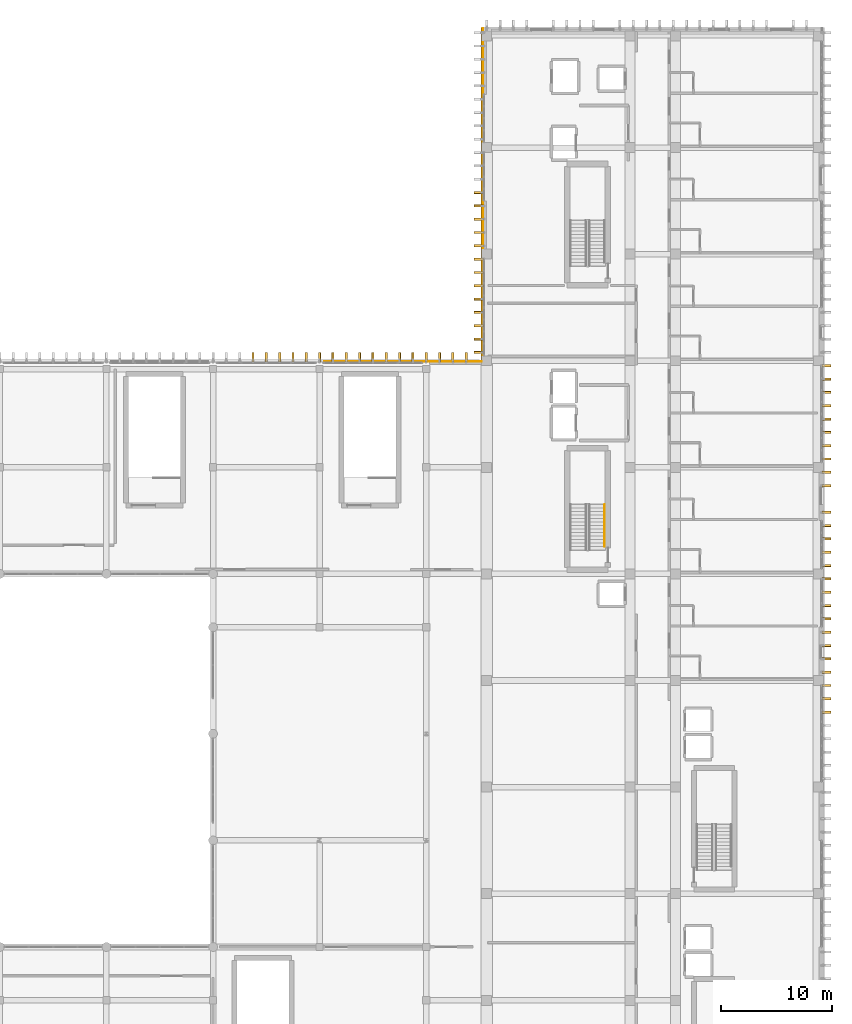
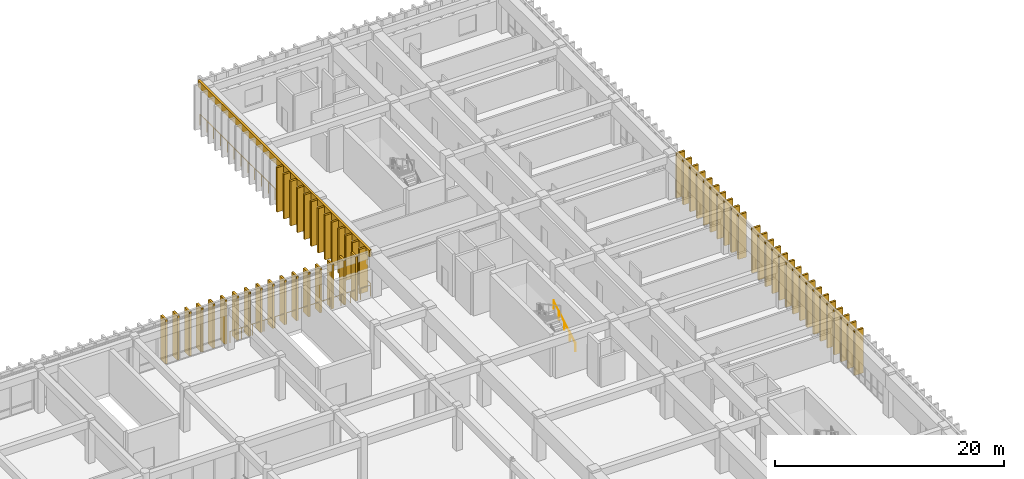
# One storey, part 99 of 101: 57 coverings, 56 shading devices, 4 railings.
"""IFC4 building model written with IfcOpenShell, lengths in metres."""

from ifc_helpers import new_model, si_unit, direction, frame, origin, origin_2d, place, context, subcontext, project, spatial, rectangle, circle, extrude, material, layer, layer_set, type_object, element, save


model = new_model("IFC4")

# Units and contexts
model_context = context("Model", 3, precision=1e-05, world=origin(), true_north=direction((0.0, 1.0)))
body_context = subcontext(model_context, "Body", "Model", "MODEL_VIEW")
ifc_project = project(units=[si_unit("LENGTHUNIT", "METRE"), si_unit("AREAUNIT", "SQUARE_METRE"), si_unit("VOLUMEUNIT", "CUBIC_METRE"), si_unit("PLANEANGLEUNIT", "RADIAN"), si_unit("MASSUNIT", "GRAM", prefix="KILO")], contexts=[model_context])

# Site, building, storey
site_placement = place(None, origin())
site = spatial("IfcSite", under=ifc_project, at=site_placement, CompositionType="ELEMENT")
building_placement = place(site_placement, origin())
building = spatial("IfcBuilding", under=site, at=building_placement, Name="Nakhvara Creek Congress Hotel", CompositionType="ELEMENT")
storey_placement = place(building_placement, frame((0.0, 0.0, 16.199951171875)))
storey = spatial("IfcBuildingStorey", under=building, at=storey_placement, Name="L03", CompositionType="ELEMENT", Elevation=16.199951171875)

# Coverings
ifc_material_1 = material(Name="Honed pale Omani limestone architectural cladding", Category="masonry")
ifc_layer_1 = layer(ifc_material_1, 0.219970703125)
ifc_layer_set_1 = layer_set([ifc_layer_1], Name="Honed pale Omani limestone architectural cladding")
covering_type_1 = type_object("IfcCoveringType", Name="COV-FIN-850", PredefinedType="CLADDING", material=ifc_layer_set_1)
for number, where, z_axis, x_axis, name in (
    (1, (128.39990234375, 96.304931640625, 0.0), (0.0, 0.0, 1.0), (1.0, 0.0, 0.0), "Pale Limestone Fin Cladding CF01-0381"),
    (2, (129.60009765625, 96.304931640625, 0.0), (0.0, 0.0, 1.0), (1.0, 0.0, 0.0), "Pale Limestone Fin Cladding CF01-0382"),
    (3, (130.800048828125, 96.304931640625, 0.0), (0.0, 0.0, 1.0), (1.0, 0.0, 0.0), "Pale Limestone Fin Cladding CF01-0383"),
    (4, (132.0, 96.304931640625, 0.0), (0.0, 0.0, 1.0), (1.0, 0.0, 0.0), "Pale Limestone Fin Cladding CF01-0384"),
    (5, (133.199951171875, 96.304931640625, 0.0), (0.0, 0.0, 1.0), (1.0, 0.0, 0.0), "Pale Limestone Fin Cladding CF01-0385"),
    (6, (134.39990234375, 96.304931640625, 0.0), (0.0, 0.0, 1.0), (1.0, 0.0, 0.0), "Pale Limestone Fin Cladding CF01-0386"),
    (7, (135.60009765625, 96.304931640625, 0.0), (0.0, 0.0, 1.0), (1.0, 0.0, 0.0), "Pale Limestone Fin Cladding CF01-0387"),
    (8, (136.800048828125, 96.304931640625, 0.0), (0.0, 0.0, 1.0), (1.0, 0.0, 0.0), "Pale Limestone Fin Cladding CF01-0388"),
    (9, (138.0, 96.304931640625, 0.0), (0.0, 0.0, 1.0), (1.0, 0.0, 0.0), "Pale Limestone Fin Cladding CF01-0389"),
    (10, (139.199951171875, 96.304931640625, 0.0), (0.0, 0.0, 1.0), (1.0, 0.0, 0.0), "Pale Limestone Fin Cladding CF01-0390"),
    (11, (140.39990234375, 96.304931640625, 0.0), (0.0, 0.0, 1.0), (1.0, 0.0, 0.0), "Pale Limestone Fin Cladding CF01-0391"),
    (12, (141.60009765625, 96.304931640625, 0.0), (0.0, 0.0, 1.0), (1.0, 0.0, 0.0), "Pale Limestone Fin Cladding CF01-0392"),
    (13, (142.800048828125, 96.304931640625, 0.0), (0.0, 0.0, 1.0), (1.0, 0.0, 0.0), "Pale Limestone Fin Cladding CF01-0393"),
    (14, (144.0, 96.304931640625, 0.0), (0.0, 0.0, 1.0), (1.0, 0.0, 0.0), "Pale Limestone Fin Cladding CF01-0394"),
    (15, (145.199951171875, 96.304931640625, 0.0), (0.0, 0.0, 1.0), (1.0, 0.0, 0.0), "Pale Limestone Fin Cladding CF01-0395"),
    (16, (146.39990234375, 96.304931640625, 0.0), (0.0, 0.0, 1.0), (1.0, 0.0, 0.0), "Pale Limestone Fin Cladding CF01-0396"),
    (17, (147.60009765625, 96.304931640625, 0.0), (0.0, 0.0, 1.0), (1.0, 0.0, 0.0), "Pale Limestone Fin Cladding CF01-0397"),
):
    element("IfcCovering", number, at=place(storey_placement, frame(where, z_axis=z_axis, x_axis=x_axis)), inside=storey, type_object=covering_type_1, Name=name, PredefinedType="CLADDING", context=body_context, shape_type="SweptSolid", body=[
        extrude(rectangle(XDim=0.219970703125, YDim=0.85009765625, at=origin_2d()), origin(), (0.0, 0.0, 1.0), 4.719970703125),
    ])
for number, where, z_axis, x_axis, name in (
    (18, (180.054931640625, 64.35009765625, 0.0), (0.0, 0.0, 1.0), (0.0, 1.0, 0.0), "Pale Limestone Fin Cladding CF01-1080"),
    (19, (180.054931640625, 65.550048828125, 0.0), (0.0, 0.0, 1.0), (0.0, 1.0, 0.0), "Pale Limestone Fin Cladding CF01-1081"),
    (20, (180.054931640625, 66.75, 0.0), (0.0, 0.0, 1.0), (0.0, 1.0, 0.0), "Pale Limestone Fin Cladding CF01-1082"),
    (21, (180.054931640625, 67.949951171875, 0.0), (0.0, 0.0, 1.0), (0.0, 1.0, 0.0), "Pale Limestone Fin Cladding CF01-1083"),
    (22, (180.054931640625, 69.14990234375, 0.0), (0.0, 0.0, 1.0), (0.0, 1.0, 0.0), "Pale Limestone Fin Cladding CF01-1084"),
    (23, (180.054931640625, 70.35009765625, 0.0), (0.0, 0.0, 1.0), (0.0, 1.0, 0.0), "Pale Limestone Fin Cladding CF01-1085"),
    (24, (180.054931640625, 71.550048828125, 0.0), (0.0, 0.0, 1.0), (0.0, 1.0, 0.0), "Pale Limestone Fin Cladding CF01-1086"),
    (25, (180.054931640625, 72.75, 0.0), (0.0, 0.0, 1.0), (0.0, 1.0, 0.0), "Pale Limestone Fin Cladding CF01-1087"),
    (26, (180.054931640625, 73.949951171875, 0.0), (0.0, 0.0, 1.0), (0.0, 1.0, 0.0), "Pale Limestone Fin Cladding CF01-1088"),
    (27, (180.054931640625, 75.14990234375, 0.0), (0.0, 0.0, 1.0), (0.0, 1.0, 0.0), "Pale Limestone Fin Cladding CF01-1089"),
    (28, (180.054931640625, 76.35009765625, 0.0), (0.0, 0.0, 1.0), (0.0, 1.0, 0.0), "Pale Limestone Fin Cladding CF01-1090"),
    (29, (180.054931640625, 77.550048828125, 0.0), (0.0, 0.0, 1.0), (0.0, 1.0, 0.0), "Pale Limestone Fin Cladding CF01-1091"),
    (30, (180.054931640625, 78.75, 0.0), (0.0, 0.0, 1.0), (0.0, 1.0, 0.0), "Pale Limestone Fin Cladding CF01-1092"),
    (31, (180.054931640625, 79.949951171875, 0.0), (0.0, 0.0, 1.0), (0.0, 1.0, 0.0), "Pale Limestone Fin Cladding CF01-1093"),
    (32, (180.054931640625, 81.14990234375, 0.0), (0.0, 0.0, 1.0), (0.0, 1.0, 0.0), "Pale Limestone Fin Cladding CF01-1094"),
    (33, (180.054931640625, 82.35009765625, 0.0), (0.0, 0.0, 1.0), (0.0, 1.0, 0.0), "Pale Limestone Fin Cladding CF01-1095"),
    (34, (180.054931640625, 84.75, 0.0), (0.0, 0.0, 1.0), (0.0, 1.0, 0.0), "Pale Limestone Fin Cladding CF01-1096"),
    (35, (180.054931640625, 85.949951171875, 0.0), (0.0, 0.0, 1.0), (0.0, 1.0, 0.0), "Pale Limestone Fin Cladding CF01-1097"),
    (36, (180.054931640625, 87.14990234375, 0.0), (0.0, 0.0, 1.0), (0.0, 1.0, 0.0), "Pale Limestone Fin Cladding CF01-1098"),
    (37, (180.054931640625, 88.35009765625, 0.0), (0.0, 0.0, 1.0), (0.0, 1.0, 0.0), "Pale Limestone Fin Cladding CF01-1099"),
    (38, (180.054931640625, 89.550048828125, 0.0), (0.0, 0.0, 1.0), (0.0, 1.0, 0.0), "Pale Limestone Fin Cladding CF01-1100"),
    (39, (180.054931640625, 90.75, 0.0), (0.0, 0.0, 1.0), (0.0, 1.0, 0.0), "Pale Limestone Fin Cladding CF01-1101"),
    (40, (180.054931640625, 91.949951171875, 0.0), (0.0, 0.0, 1.0), (0.0, 1.0, 0.0), "Pale Limestone Fin Cladding CF01-1102"),
    (41, (180.054931640625, 93.14990234375, 0.0), (0.0, 0.0, 1.0), (0.0, 1.0, 0.0), "Pale Limestone Fin Cladding CF01-1103"),
    (42, (180.054931640625, 94.35009765625, 0.0), (0.0, 0.0, 1.0), (0.0, 1.0, 0.0), "Pale Limestone Fin Cladding CF01-1104"),
    (43, (180.054931640625, 95.550048828125, 0.0), (0.0, 0.0, 1.0), (0.0, 1.0, 0.0), "Pale Limestone Fin Cladding CF01-1105"),
    (44, (148.7451171875, 96.75, 0.0), (0.0, 0.0, 1.0), (0.0, 1.0, 0.0), "Pale Limestone Fin Cladding CF01-1107"),
    (45, (148.7451171875, 97.949951171875, 0.0), (0.0, 0.0, 1.0), (0.0, 1.0, 0.0), "Pale Limestone Fin Cladding CF01-1109"),
    (46, (148.7451171875, 99.14990234375, 0.0), (0.0, 0.0, 1.0), (0.0, 1.0, 0.0), "Pale Limestone Fin Cladding CF01-1111"),
    (47, (148.7451171875, 100.35009765625, 0.0), (0.0, 0.0, 1.0), (0.0, 1.0, 0.0), "Pale Limestone Fin Cladding CF01-1113"),
    (48, (148.7451171875, 101.550048828125, 0.0), (0.0, 0.0, 1.0), (0.0, 1.0, 0.0), "Pale Limestone Fin Cladding CF01-1115"),
    (49, (148.7451171875, 102.75, 0.0), (0.0, 0.0, 1.0), (0.0, 1.0, 0.0), "Pale Limestone Fin Cladding CF01-1117"),
    (50, (148.7451171875, 103.949951171875, 0.0), (0.0, 0.0, 1.0), (0.0, 1.0, 0.0), "Pale Limestone Fin Cladding CF01-1119"),
    (51, (148.7451171875, 105.14990234375, 0.0), (0.0, 0.0, 1.0), (0.0, 1.0, 0.0), "Pale Limestone Fin Cladding CF01-1121"),
    (52, (148.7451171875, 106.35009765625, 0.0), (0.0, 0.0, 1.0), (0.0, 1.0, 0.0), "Pale Limestone Fin Cladding CF01-1123"),
    (53, (148.7451171875, 107.550048828125, 0.0), (0.0, 0.0, 1.0), (0.0, 1.0, 0.0), "Pale Limestone Fin Cladding CF01-1125"),
    (54, (148.7451171875, 108.75, 0.0), (0.0, 0.0, 1.0), (0.0, 1.0, 0.0), "Pale Limestone Fin Cladding CF01-1127"),
    (55, (148.7451171875, 109.949951171875, 0.0), (0.0, 0.0, 1.0), (0.0, 1.0, 0.0), "Pale Limestone Fin Cladding CF01-1129"),
    (56, (148.7451171875, 111.14990234375, 0.0), (0.0, 0.0, 1.0), (0.0, 1.0, 0.0), "Pale Limestone Fin Cladding CF01-1131"),
):
    element("IfcCovering", number, at=place(storey_placement, frame(where, z_axis=z_axis, x_axis=x_axis)), inside=storey, type_object=covering_type_1, Name=name, PredefinedType="CLADDING", context=body_context, shape_type="SweptSolid", body=[
        extrude(rectangle(XDim=0.219970703125, YDim=0.85009765625, at=origin_2d()), origin(), (0.0, 0.0, 1.0), 4.760009765625),
    ])
ifc_layer_2 = layer(ifc_material_1, 0.179931640625)
ifc_layer_set_2 = layer_set([ifc_layer_2], Name="Honed pale Omani limestone architectural cladding")
covering_type_2 = type_object("IfcCoveringType", Name="COV-SPN-180", PredefinedType="CLADDING", material=ifc_layer_set_2)
covering_placement = place(storey_placement, frame((149.06005859375, 111.0, 4.110107421875), z_axis=(0.0, 0.0, 1.0), x_axis=(0.0, 1.0, 0.0)))
element("IfcCovering", 57, at=covering_placement, inside=storey, type_object=covering_type_2, Name="Pale Limestone Spandrel Band CF02-0054", PredefinedType="CLADDING", context=body_context, shape_type="SweptSolid", body=[
    extrude(rectangle(XDim=30.0, YDim=0.219970703125, at=origin_2d()), origin(), (0.0, 0.0, 1.0), 0.72998046875),
])

# Railings
ifc_material_2 = material(Name="Brushed stainless steel 316L", Category="steel")
railing_type_1 = type_object("IfcRailingType", Name="RL-GUARD-1200", PredefinedType="GUARDRAIL", material=ifc_material_2)
railing_1_placement = place(storey_placement, frame((134.85009765625, 95.919921875, 0.0)))
element("IfcRailing", 58, at=railing_1_placement, inside=storey, type_object=railing_type_1, Name="North Conference Edge Guard L03-134", PredefinedType="GUARDRAIL", context=body_context, shape_type="SweptSolid", body=[
    extrude(circle(Radius=0.02392578125, at=origin_2d()), frame((0.0146484375, 0.0, 1.17578125), z_axis=(1.0, 0.0, 0.0), x_axis=(0.0, 1.0, 0.0)), (0.0, 0.0, 1.0), 9.060546875),
    extrude(circle(Radius=0.02099609375, at=origin_2d()), origin(), (0.0, 0.0, 1.0), 1.1806640625),
    extrude(circle(Radius=0.02099609375, at=origin_2d()), frame((1.13623046875, 0.0, 0.0)), (0.0, 0.0, 1.0), 1.1806640625),
    extrude(circle(Radius=0.02099609375, at=origin_2d()), frame((2.2724609375, 0.0, 0.0)), (0.0, 0.0, 1.0), 1.1806640625),
    extrude(circle(Radius=0.02099609375, at=origin_2d()), frame((3.40869140625, 0.0, 0.0)), (0.0, 0.0, 1.0), 1.1806640625),
    extrude(circle(Radius=0.02099609375, at=origin_2d()), frame((4.544921875, 0.0, 0.0)), (0.0, 0.0, 1.0), 1.1806640625),
    extrude(circle(Radius=0.02099609375, at=origin_2d()), frame((5.68115234375, 0.0, 0.0)), (0.0, 0.0, 1.0), 1.1806640625),
    extrude(circle(Radius=0.02099609375, at=origin_2d()), frame((6.8173828125, 0.0, 0.0)), (0.0, 0.0, 1.0), 1.1806640625),
    extrude(circle(Radius=0.02099609375, at=origin_2d()), frame((7.95361328125, 0.0, 0.0)), (0.0, 0.0, 1.0), 1.1806640625),
    extrude(circle(Radius=0.02099609375, at=origin_2d()), frame((9.08984375, 0.0, 0.0)), (0.0, 0.0, 1.0), 1.1806640625),
])
railing_2_placement = place(storey_placement, frame((144.06005859375, 95.919921875, 0.0)))
element("IfcRailing", 59, at=railing_2_placement, inside=storey, type_object=railing_type_1, Name="North Conference Edge Guard L03-144", PredefinedType="GUARDRAIL", context=body_context, shape_type="SweptSolid", body=[
    extrude(circle(Radius=0.02392578125, at=origin_2d()), frame((0.0146484375, 0.0, 1.17578125), z_axis=(1.0, 0.0, 0.0), x_axis=(0.0, 1.0, 0.0)), (0.0, 0.0, 1.0), 4.900634765625),
    extrude(circle(Radius=0.02099609375, at=origin_2d()), origin(), (0.0, 0.0, 1.0), 1.1806640625),
    extrude(circle(Radius=0.02099609375, at=origin_2d()), frame((0.986083984375, 0.0, 0.0)), (0.0, 0.0, 1.0), 1.1806640625),
    extrude(circle(Radius=0.02099609375, at=origin_2d()), frame((1.971923828125, 0.0, 0.0)), (0.0, 0.0, 1.0), 1.1806640625),
    extrude(circle(Radius=0.02099609375, at=origin_2d()), frame((2.9580078125, 0.0, 0.0)), (0.0, 0.0, 1.0), 1.1806640625),
    extrude(circle(Radius=0.02099609375, at=origin_2d()), frame((3.94384765625, 0.0, 0.0)), (0.0, 0.0, 1.0), 1.1806640625),
    extrude(circle(Radius=0.02099609375, at=origin_2d()), frame((4.929931640625, 0.0, 0.0)), (0.0, 0.0, 1.0), 1.1806640625),
])
railing_3_placement = place(storey_placement, frame((149.1298828125, 96.080078125, 0.0)))
element("IfcRailing", 60, at=railing_3_placement, inside=storey, type_object=railing_type_1, Name="Perimeter Safety Rail West North L03", PredefinedType="GUARDRAIL", context=body_context, shape_type="SweptSolid", body=[
    extrude(circle(Radius=0.02392578125, at=origin_2d()), frame((0.0, 0.0146484375, 1.17578125), z_axis=(0.0, 1.0, 0.0), x_axis=(-1.0, 0.0, 0.0)), (0.0, 0.0, 1.0), 29.810546875),
    extrude(circle(Radius=0.02099609375, at=origin_2d()), origin(), (0.0, 0.0, 1.0), 1.1806640625),
    extrude(circle(Radius=0.02099609375, at=origin_2d()), frame((0.0, 1.193603515625, 0.0)), (0.0, 0.0, 1.0), 1.1806640625),
    extrude(circle(Radius=0.02099609375, at=origin_2d()), frame((0.0, 2.38720703125, 0.0)), (0.0, 0.0, 1.0), 1.1806640625),
    extrude(circle(Radius=0.02099609375, at=origin_2d()), frame((0.0, 3.580810546875, 0.0)), (0.0, 0.0, 1.0), 1.1806640625),
    extrude(circle(Radius=0.02099609375, at=origin_2d()), frame((0.0, 4.7744140625, 0.0)), (0.0, 0.0, 1.0), 1.1806640625),
    extrude(circle(Radius=0.02099609375, at=origin_2d()), frame((0.0, 5.968017578125, 0.0)), (0.0, 0.0, 1.0), 1.1806640625),
    extrude(circle(Radius=0.02099609375, at=origin_2d()), frame((0.0, 7.16162109375, 0.0)), (0.0, 0.0, 1.0), 1.1806640625),
    extrude(circle(Radius=0.02099609375, at=origin_2d()), frame((0.0, 8.355224609375, 0.0)), (0.0, 0.0, 1.0), 1.1806640625),
    extrude(circle(Radius=0.02099609375, at=origin_2d()), frame((0.0, 9.548828125, 0.0)), (0.0, 0.0, 1.0), 1.1806640625),
    extrude(circle(Radius=0.02099609375, at=origin_2d()), frame((0.0, 10.742431640625, 0.0)), (0.0, 0.0, 1.0), 1.1806640625),
    extrude(circle(Radius=0.02099609375, at=origin_2d()), frame((0.0, 11.93603515625, 0.0)), (0.0, 0.0, 1.0), 1.1806640625),
    extrude(circle(Radius=0.02099609375, at=origin_2d()), frame((0.0, 13.129638671875, 0.0)), (0.0, 0.0, 1.0), 1.1806640625),
    extrude(circle(Radius=0.02099609375, at=origin_2d()), frame((0.0, 14.3232421875, 0.0)), (0.0, 0.0, 1.0), 1.1806640625),
    extrude(circle(Radius=0.02099609375, at=origin_2d()), frame((0.0, 15.5166015625, 0.0)), (0.0, 0.0, 1.0), 1.1806640625),
    extrude(circle(Radius=0.02099609375, at=origin_2d()), frame((0.0, 16.710205078125, 0.0)), (0.0, 0.0, 1.0), 1.1806640625),
    extrude(circle(Radius=0.02099609375, at=origin_2d()), frame((0.0, 17.90380859375, 0.0)), (0.0, 0.0, 1.0), 1.1806640625),
    extrude(circle(Radius=0.02099609375, at=origin_2d()), frame((0.0, 19.097412109375, 0.0)), (0.0, 0.0, 1.0), 1.1806640625),
    extrude(circle(Radius=0.02099609375, at=origin_2d()), frame((0.0, 20.291015625, 0.0)), (0.0, 0.0, 1.0), 1.1806640625),
    extrude(circle(Radius=0.02099609375, at=origin_2d()), frame((0.0, 21.484619140625, 0.0)), (0.0, 0.0, 1.0), 1.1806640625),
    extrude(circle(Radius=0.02099609375, at=origin_2d()), frame((0.0, 22.67822265625, 0.0)), (0.0, 0.0, 1.0), 1.1806640625),
    extrude(circle(Radius=0.02099609375, at=origin_2d()), frame((0.0, 23.871826171875, 0.0)), (0.0, 0.0, 1.0), 1.1806640625),
    extrude(circle(Radius=0.02099609375, at=origin_2d()), frame((0.0, 25.0654296875, 0.0)), (0.0, 0.0, 1.0), 1.1806640625),
    extrude(circle(Radius=0.02099609375, at=origin_2d()), frame((0.0, 26.259033203125, 0.0)), (0.0, 0.0, 1.0), 1.1806640625),
    extrude(circle(Radius=0.02099609375, at=origin_2d()), frame((0.0, 27.45263671875, 0.0)), (0.0, 0.0, 1.0), 1.1806640625),
    extrude(circle(Radius=0.02099609375, at=origin_2d()), frame((0.0, 28.646240234375, 0.0)), (0.0, 0.0, 1.0), 1.1806640625),
    extrude(circle(Radius=0.02099609375, at=origin_2d()), frame((0.0, 29.83984375, 0.0)), (0.0, 0.0, 1.0), 1.1806640625),
])
railing_type_2 = type_object("IfcRailingType", Name="RL-HAND-900", PredefinedType="HANDRAIL", material=ifc_material_2)
railing_4_placement = place(storey_placement, frame((160.074951171875, 79.2548828125, 0.343017578125)))
element("IfcRailing", 61, at=railing_4_placement, inside=storey, type_object=railing_type_2, Name="L03 ST01 stair handrail 1", PredefinedType="HANDRAIL", context=body_context, shape_type="SweptSolid", body=[
    extrude(circle(Radius=0.02392578125, at=origin_2d()), frame((0.0, 0.0126953125, 0.88330078125), z_axis=(0.0, 0.860342978037, 0.509715567883), x_axis=(-1.0, 0.0, 0.0)), (0.0, 0.0, 1.0), 4.3642578125),
    extrude(circle(Radius=0.02099609375, at=origin_2d()), origin(), (0.0, 0.0, 1.0), 0.880615234375),
    extrude(circle(Radius=0.02099609375, at=origin_2d()), frame((0.0, 0.945068359375, 0.559814453125)), (0.0, 0.0, 1.0), 0.880615234375),
    extrude(circle(Radius=0.02099609375, at=origin_2d()), frame((0.0, 1.89013671875, 1.11962890625)), (0.0, 0.0, 1.0), 0.880615234375),
    extrude(circle(Radius=0.02099609375, at=origin_2d()), frame((0.0, 2.8349609375, 1.6796875)), (0.0, 0.0, 1.0), 0.880615234375),
    extrude(circle(Radius=0.02099609375, at=origin_2d()), frame((0.0, 3.780029296875, 2.239501953125)), (0.0, 0.0, 1.0), 0.880615234375),
])

# Shading devices
ifc_material_3 = material(Name="Honed pale Omani limestone cladding on stainless steel spine", Category="masonry")
shading_device_type = type_object("IfcShadingDeviceType", Name="SHD-FIN-850X4700", PredefinedType="USERDEFINED", material=ifc_material_3)
for number, where, z_axis, x_axis, name in (
    (62, (128.39990234375, 96.304931640625, 0.0), (0.0, 0.0, 1.0), (1.0, 0.0, 0.0), "Limestone Solar Fin FN02-0381"),
    (63, (129.60009765625, 96.304931640625, 0.0), (0.0, 0.0, 1.0), (1.0, 0.0, 0.0), "Limestone Solar Fin FN02-0382"),
    (64, (130.800048828125, 96.304931640625, 0.0), (0.0, 0.0, 1.0), (1.0, 0.0, 0.0), "Limestone Solar Fin FN02-0383"),
    (65, (132.0, 96.304931640625, 0.0), (0.0, 0.0, 1.0), (1.0, 0.0, 0.0), "Limestone Solar Fin FN02-0384"),
    (66, (133.199951171875, 96.304931640625, 0.0), (0.0, 0.0, 1.0), (1.0, 0.0, 0.0), "Limestone Solar Fin FN02-0385"),
    (67, (134.39990234375, 96.304931640625, 0.0), (0.0, 0.0, 1.0), (1.0, 0.0, 0.0), "Limestone Solar Fin FN02-0386"),
    (68, (135.60009765625, 96.304931640625, 0.0), (0.0, 0.0, 1.0), (1.0, 0.0, 0.0), "Limestone Solar Fin FN02-0387"),
    (69, (136.800048828125, 96.304931640625, 0.0), (0.0, 0.0, 1.0), (1.0, 0.0, 0.0), "Limestone Solar Fin FN02-0388"),
    (70, (138.0, 96.304931640625, 0.0), (0.0, 0.0, 1.0), (1.0, 0.0, 0.0), "Limestone Solar Fin FN02-0389"),
    (71, (139.199951171875, 96.304931640625, 0.0), (0.0, 0.0, 1.0), (1.0, 0.0, 0.0), "Limestone Solar Fin FN02-0390"),
    (72, (140.39990234375, 96.304931640625, 0.0), (0.0, 0.0, 1.0), (1.0, 0.0, 0.0), "Limestone Solar Fin FN02-0391"),
    (73, (141.60009765625, 96.304931640625, 0.0), (0.0, 0.0, 1.0), (1.0, 0.0, 0.0), "Limestone Solar Fin FN02-0392"),
    (74, (142.800048828125, 96.304931640625, 0.0), (0.0, 0.0, 1.0), (1.0, 0.0, 0.0), "Limestone Solar Fin FN02-0393"),
    (75, (144.0, 96.304931640625, 0.0), (0.0, 0.0, 1.0), (1.0, 0.0, 0.0), "Limestone Solar Fin FN02-0394"),
    (76, (145.199951171875, 96.304931640625, 0.0), (0.0, 0.0, 1.0), (1.0, 0.0, 0.0), "Limestone Solar Fin FN02-0395"),
    (77, (146.39990234375, 96.304931640625, 0.0), (0.0, 0.0, 1.0), (1.0, 0.0, 0.0), "Limestone Solar Fin FN02-0396"),
    (78, (147.60009765625, 96.304931640625, 0.0), (0.0, 0.0, 1.0), (1.0, 0.0, 0.0), "Limestone Solar Fin FN02-0397"),
):
    element("IfcShadingDevice", number, at=place(storey_placement, frame(where, z_axis=z_axis, x_axis=x_axis)), inside=storey, type_object=shading_device_type, Name=name, ObjectType="FIN", PredefinedType="USERDEFINED", context=body_context, shape_type="SweptSolid", body=[
        extrude(rectangle(XDim=0.199951171875, YDim=0.85009765625, at=origin_2d()), origin(), (0.0, 0.0, 1.0), 4.719970703125),
    ])
for number, where, z_axis, x_axis, name in (
    (79, (180.054931640625, 64.35009765625, 0.0), (0.0, 0.0, 1.0), (0.0, 1.0, 0.0), "Limestone Solar Fin FN02-0945"),
    (80, (180.054931640625, 65.550048828125, 0.0), (0.0, 0.0, 1.0), (0.0, 1.0, 0.0), "Limestone Solar Fin FN02-0946"),
    (81, (180.054931640625, 66.75, 0.0), (0.0, 0.0, 1.0), (0.0, 1.0, 0.0), "Limestone Solar Fin FN02-0947"),
    (82, (180.054931640625, 67.949951171875, 0.0), (0.0, 0.0, 1.0), (0.0, 1.0, 0.0), "Limestone Solar Fin FN02-0948"),
    (83, (180.054931640625, 69.14990234375, 0.0), (0.0, 0.0, 1.0), (0.0, 1.0, 0.0), "Limestone Solar Fin FN02-0949"),
    (84, (180.054931640625, 70.35009765625, 0.0), (0.0, 0.0, 1.0), (0.0, 1.0, 0.0), "Limestone Solar Fin FN02-0950"),
    (85, (180.054931640625, 71.550048828125, 0.0), (0.0, 0.0, 1.0), (0.0, 1.0, 0.0), "Limestone Solar Fin FN02-0951"),
    (86, (180.054931640625, 72.75, 0.0), (0.0, 0.0, 1.0), (0.0, 1.0, 0.0), "Limestone Solar Fin FN02-0952"),
    (87, (180.054931640625, 73.949951171875, 0.0), (0.0, 0.0, 1.0), (0.0, 1.0, 0.0), "Limestone Solar Fin FN02-0953"),
    (88, (180.054931640625, 75.14990234375, 0.0), (0.0, 0.0, 1.0), (0.0, 1.0, 0.0), "Limestone Solar Fin FN02-0954"),
    (89, (180.054931640625, 76.35009765625, 0.0), (0.0, 0.0, 1.0), (0.0, 1.0, 0.0), "Limestone Solar Fin FN02-0955"),
    (90, (180.054931640625, 77.550048828125, 0.0), (0.0, 0.0, 1.0), (0.0, 1.0, 0.0), "Limestone Solar Fin FN02-0956"),
    (91, (180.054931640625, 78.75, 0.0), (0.0, 0.0, 1.0), (0.0, 1.0, 0.0), "Limestone Solar Fin FN02-0957"),
    (92, (180.054931640625, 79.949951171875, 0.0), (0.0, 0.0, 1.0), (0.0, 1.0, 0.0), "Limestone Solar Fin FN02-0958"),
    (93, (180.054931640625, 81.14990234375, 0.0), (0.0, 0.0, 1.0), (0.0, 1.0, 0.0), "Limestone Solar Fin FN02-0959"),
    (94, (180.054931640625, 82.35009765625, 0.0), (0.0, 0.0, 1.0), (0.0, 1.0, 0.0), "Limestone Solar Fin FN02-0960"),
    (95, (180.054931640625, 84.75, 0.0), (0.0, 0.0, 1.0), (0.0, 1.0, 0.0), "Limestone Solar Fin FN02-0961"),
    (96, (180.054931640625, 85.949951171875, 0.0), (0.0, 0.0, 1.0), (0.0, 1.0, 0.0), "Limestone Solar Fin FN02-0962"),
    (97, (180.054931640625, 87.14990234375, 0.0), (0.0, 0.0, 1.0), (0.0, 1.0, 0.0), "Limestone Solar Fin FN02-0963"),
    (98, (180.054931640625, 88.35009765625, 0.0), (0.0, 0.0, 1.0), (0.0, 1.0, 0.0), "Limestone Solar Fin FN02-0964"),
    (99, (180.054931640625, 89.550048828125, 0.0), (0.0, 0.0, 1.0), (0.0, 1.0, 0.0), "Limestone Solar Fin FN02-0965"),
    (100, (180.054931640625, 90.75, 0.0), (0.0, 0.0, 1.0), (0.0, 1.0, 0.0), "Limestone Solar Fin FN02-0966"),
    (101, (180.054931640625, 91.949951171875, 0.0), (0.0, 0.0, 1.0), (0.0, 1.0, 0.0), "Limestone Solar Fin FN02-0967"),
    (102, (180.054931640625, 93.14990234375, 0.0), (0.0, 0.0, 1.0), (0.0, 1.0, 0.0), "Limestone Solar Fin FN02-0968"),
    (103, (180.054931640625, 94.35009765625, 0.0), (0.0, 0.0, 1.0), (0.0, 1.0, 0.0), "Limestone Solar Fin FN02-0969"),
    (104, (180.054931640625, 95.550048828125, 0.0), (0.0, 0.0, 1.0), (0.0, 1.0, 0.0), "Limestone Solar Fin FN02-0970"),
    (105, (148.7451171875, 96.75, 0.0), (0.0, 0.0, 1.0), (0.0, 1.0, 0.0), "Limestone Solar Fin FN02-0972"),
    (106, (148.7451171875, 97.949951171875, 0.0), (0.0, 0.0, 1.0), (0.0, 1.0, 0.0), "Limestone Solar Fin FN02-0974"),
    (107, (148.7451171875, 99.14990234375, 0.0), (0.0, 0.0, 1.0), (0.0, 1.0, 0.0), "Limestone Solar Fin FN02-0976"),
    (108, (148.7451171875, 100.35009765625, 0.0), (0.0, 0.0, 1.0), (0.0, 1.0, 0.0), "Limestone Solar Fin FN02-0978"),
    (109, (148.7451171875, 101.550048828125, 0.0), (0.0, 0.0, 1.0), (0.0, 1.0, 0.0), "Limestone Solar Fin FN02-0980"),
    (110, (148.7451171875, 102.75, 0.0), (0.0, 0.0, 1.0), (0.0, 1.0, 0.0), "Limestone Solar Fin FN02-0982"),
    (111, (148.7451171875, 103.949951171875, 0.0), (0.0, 0.0, 1.0), (0.0, 1.0, 0.0), "Limestone Solar Fin FN02-0984"),
    (112, (148.7451171875, 105.14990234375, 0.0), (0.0, 0.0, 1.0), (0.0, 1.0, 0.0), "Limestone Solar Fin FN02-0986"),
    (113, (148.7451171875, 106.35009765625, 0.0), (0.0, 0.0, 1.0), (0.0, 1.0, 0.0), "Limestone Solar Fin FN02-0988"),
    (114, (148.7451171875, 107.550048828125, 0.0), (0.0, 0.0, 1.0), (0.0, 1.0, 0.0), "Limestone Solar Fin FN02-0990"),
    (115, (148.7451171875, 108.75, 0.0), (0.0, 0.0, 1.0), (0.0, 1.0, 0.0), "Limestone Solar Fin FN02-0992"),
    (116, (148.7451171875, 109.949951171875, 0.0), (0.0, 0.0, 1.0), (0.0, 1.0, 0.0), "Limestone Solar Fin FN02-0994"),
    (117, (148.7451171875, 111.14990234375, 0.0), (0.0, 0.0, 1.0), (0.0, 1.0, 0.0), "Limestone Solar Fin FN02-0996"),
):
    element("IfcShadingDevice", number, at=place(storey_placement, frame(where, z_axis=z_axis, x_axis=x_axis)), inside=storey, type_object=shading_device_type, Name=name, ObjectType="FIN", PredefinedType="USERDEFINED", context=body_context, shape_type="SweptSolid", body=[
        extrude(rectangle(XDim=0.199951171875, YDim=0.85009765625, at=origin_2d()), origin(), (0.0, 0.0, 1.0), 4.760009765625),
    ])

save(model, "model.ifc")
